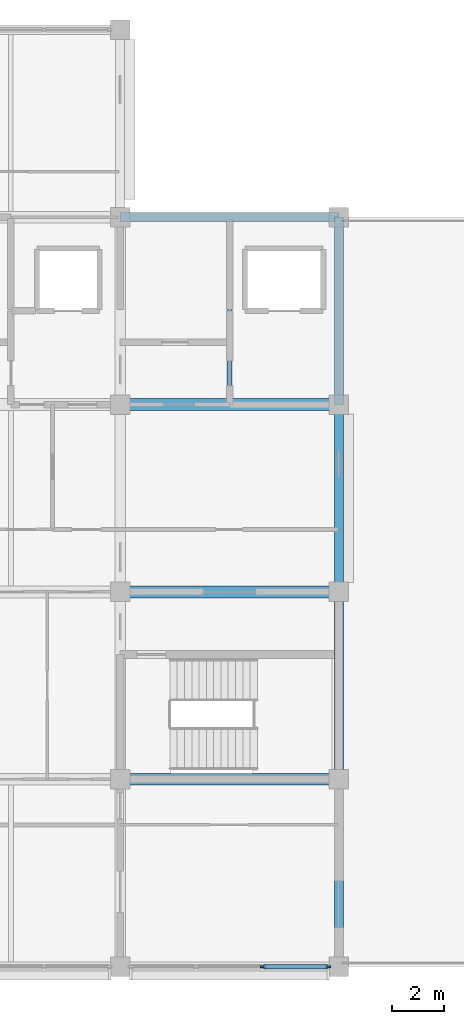
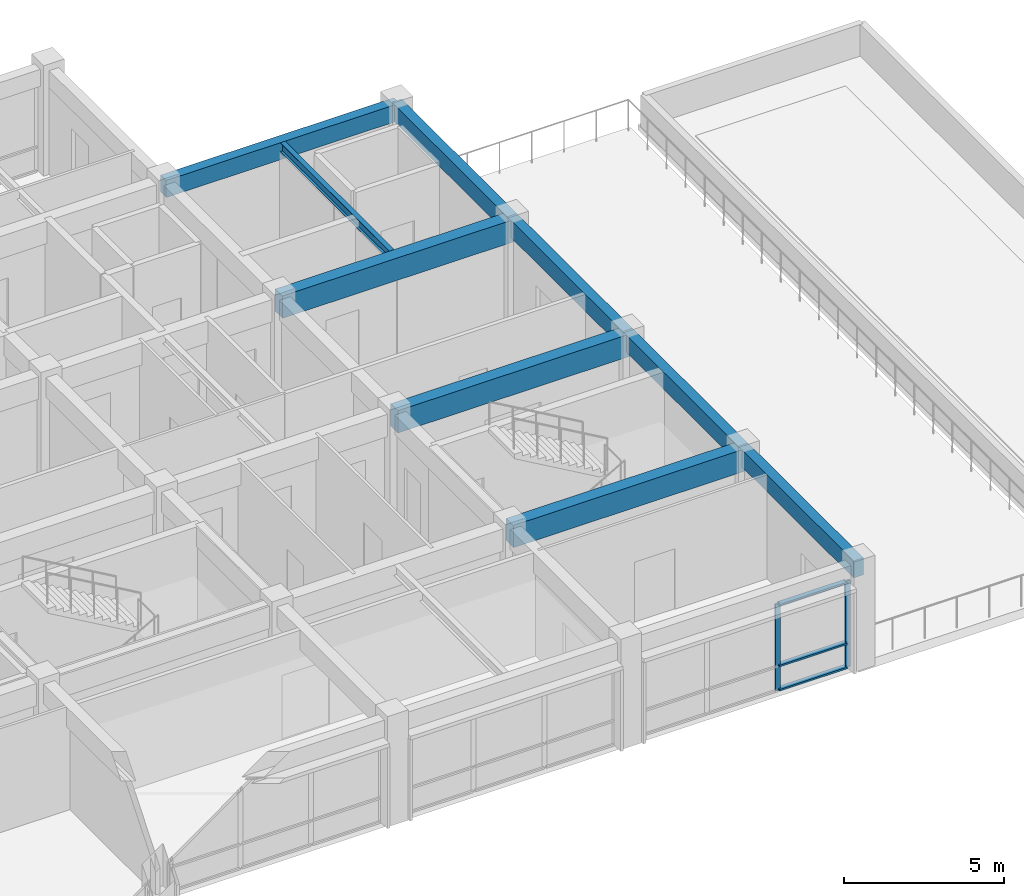
# One storey, part 8 of 27: 9 beams, 5 members, 1 element without a shape of its own.
"""IFC4 building model written with IfcOpenShell, lengths in metres."""

from ifc_helpers import new_model, si_unit, direction, frame, origin, origin_2d, place, context, subcontext, project, spatial, rectangle, i_section, extrude, material, layer, layer_set, material_profile, profile_set, type_object, element, aggregate, save


model = new_model("IFC4")

# Units and contexts
model_context = context("Model", 3, precision=1e-05, world=origin(), true_north=direction((0.0, 1.0)))
body_context = subcontext(model_context, "Body", "Model", "MODEL_VIEW")
ifc_project = project(units=[si_unit("LENGTHUNIT", "METRE"), si_unit("AREAUNIT", "SQUARE_METRE"), si_unit("VOLUMEUNIT", "CUBIC_METRE"), si_unit("PLANEANGLEUNIT", "RADIAN"), si_unit("MASSUNIT", "GRAM", prefix="KILO")], contexts=[model_context])

# Site, building, storey
site_placement = place(None, origin())
site = spatial("IfcSite", under=ifc_project, at=site_placement, CompositionType="ELEMENT")
building_placement = place(site_placement, origin())
building = spatial("IfcBuilding", under=site, at=building_placement, Name="Chengyuan Square Courthouse", CompositionType="ELEMENT")
storey_placement = place(building_placement, frame((0.0, 0.0, 35.10009765625)))
storey = spatial("IfcBuildingStorey", under=building, at=storey_placement, Name="L08", CompositionType="ELEMENT", Elevation=35.10009765625)

# Beams
ifc_material_1 = material(Name="Concrete C40", Category="concrete")
ifc_material_profile_1 = material_profile(ifc_material_1, rectangle(XDim=0.449951171875, YDim=0.85009765625, at=origin_2d()), Name="RC-BM-450x850")
ifc_profile_set_1 = profile_set([ifc_material_profile_1], Name="Concrete C40")
beam_type_1 = type_object("IfcBeamType", Name="BM-01", PredefinedType="USERDEFINED", material=ifc_profile_set_1)
for number, where, z_axis, x_axis, name in (
    (1, (117.60009765625, 86.39990234375, 3.52490234375), (1.0, 0.0, 0.0), (0.0, 1.0, 0.0), "Girder BM-L08-3787"),
    (2, (117.60009765625, 93.60009765625, 3.52490234375), (1.0, 0.0, 0.0), (0.0, 1.0, 0.0), "Girder BM-L08-3797"),
    (3, (117.60009765625, 100.800048828125, 3.52490234375), (1.0, 0.0, 0.0), (0.0, 1.0, 0.0), "Girder BM-L08-3807"),
):
    element("IfcBeam", number, at=place(storey_placement, frame(where, z_axis=z_axis, x_axis=x_axis)), inside=storey, type_object=beam_type_1, Name=name, ObjectType="GIRDER", PredefinedType="USERDEFINED", context=body_context, shape_type="SweptSolid", body=[
        extrude(rectangle(XDim=0.449951171875, YDim=0.85009765625, at=origin_2d()), origin(), (0.0, 0.0, 1.0), 8.39990234375),
    ])
ifc_material_profile_2 = material_profile(ifc_material_1, rectangle(XDim=0.35009765625, YDim=0.64990234375, at=origin_2d()), Name="RC-BM-350x650")
ifc_profile_set_2 = profile_set([ifc_material_profile_2], Name="Concrete C40")
beam_type_2 = type_object("IfcBeamType", Name="BM-03", PredefinedType="SPANDREL", material=ifc_profile_set_2)
beam_1_placement = place(storey_placement, frame((117.60009765625, 108.0, 3.625), z_axis=(1.0, 0.0, 0.0), x_axis=(0.0, 1.0, 0.0)))
element("IfcBeam", 4, at=beam_1_placement, inside=storey, type_object=beam_type_2, Name="Girder BM-L08-3817", PredefinedType="SPANDREL", context=body_context, shape_type="SweptSolid", body=[
    extrude(rectangle(XDim=0.35009765625, YDim=0.64990234375, at=origin_2d()), origin(), (0.0, 0.0, 1.0), 8.39990234375),
])
beam_2_placement = place(storey_placement, frame((126.0, 79.199951171875, 3.625), z_axis=(0.0, 1.0, 0.0), x_axis=(-1.0, 0.0, 0.0)))
element("IfcBeam", 5, at=beam_2_placement, inside=storey, type_object=beam_type_2, Name="Girder BM-L08-3875", PredefinedType="SPANDREL", context=body_context, shape_type="SweptSolid", body=[
    extrude(rectangle(XDim=0.35009765625, YDim=0.64990234375, at=origin_2d()), origin(), (0.0, 0.0, 1.0), 7.199951171875),
])
beam_3_placement = place(storey_placement, frame((126.0, 86.39990234375, 3.625), z_axis=(0.0, 1.0, 0.0), x_axis=(-1.0, 0.0, 0.0)))
element("IfcBeam", 6, at=beam_3_placement, inside=storey, type_object=beam_type_2, Name="Girder BM-L08-3876", PredefinedType="SPANDREL", context=body_context, shape_type="SweptSolid", body=[
    extrude(rectangle(XDim=0.35009765625, YDim=0.64990234375, at=origin_2d()), origin(), (0.0, 0.0, 1.0), 7.2001953125),
])
for number, where, z_axis, x_axis, name in (
    (7, (126.0, 93.60009765625, 3.625), (0.0, 1.0, 0.0), (-1.0, 0.0, 0.0), "Girder BM-L08-3877"),
    (8, (126.0, 100.800048828125, 3.625), (0.0, 1.0, 0.0), (-1.0, 0.0, 0.0), "Girder BM-L08-3878"),
):
    element("IfcBeam", number, at=place(storey_placement, frame(where, z_axis=z_axis, x_axis=x_axis)), inside=storey, type_object=beam_type_2, Name=name, PredefinedType="SPANDREL", context=body_context, shape_type="SweptSolid", body=[
        extrude(rectangle(XDim=0.35009765625, YDim=0.64990234375, at=origin_2d()), origin(), (0.0, 0.0, 1.0), 7.199951171875),
    ])
ifc_material_2 = material(Name="Steel Q355B", Category="steel")
ifc_material_profile_3 = material_profile(ifc_material_2, i_section(OverallWidth=0.175048828125, OverallDepth=0.35009765625, WebThickness=0.007080078125, FlangeThickness=0.010986328125, at=origin_2d()), Name="HN 350x175x7x11")
ifc_profile_set_3 = profile_set([ifc_material_profile_3], Name="Steel Q355B")
beam_type_3 = type_object("IfcBeamType", Name="BM-08", PredefinedType="BEAM", material=ifc_profile_set_3)
beam_4_placement = place(storey_placement, frame((121.800048828125, 101.02490234375, 3.77490234375), z_axis=(0.0, 1.0, 0.0), x_axis=(-1.0, 0.0, 0.0)))
element("IfcBeam", 9, at=beam_4_placement, inside=storey, type_object=beam_type_3, Name="Secondary Floor Beam SBM-L08-3896", PredefinedType="BEAM", context=body_context, shape_type="SweptSolid", body=[
    extrude(i_section(OverallWidth=0.175048828125, OverallDepth=0.35009765625, WebThickness=0.007080078125, FlangeThickness=0.010986328125, at=origin_2d()), origin(), (0.0, 0.0, 1.0), 6.800048828125),
])

# Curtain wall, members
ifc_material_3 = material(Name="Unitised Aluminium and Triple Low-E Glass", Category="aluminium")
ifc_layer = layer(ifc_material_3, 0.179931640625)
ifc_layer_set = layer_set([ifc_layer], Name="Unitised Aluminium and Triple Low-E Glass")
curtain_wall_type = type_object("IfcCurtainWallType", Name="CW-22", PredefinedType="USERDEFINED", material=ifc_layer_set)
curtain_wall_placement = place(storey_placement, origin())
curtain_wall = element("IfcCurtainWall", 10, at=curtain_wall_placement, inside=storey, type_object=curtain_wall_type, Name="Unitised Curtain Wall CW-L08-233", ObjectType="UNITISED CURTAIN WALL", PredefinedType="USERDEFINED")
ifc_material_4 = material(Name="Aluminium 6063-T6 Frame", Category="aluminium")
ifc_material_profile_4 = material_profile(ifc_material_4, rectangle(XDim=0.06494140625, YDim=0.179931640625, at=origin_2d()), Name="CW-MUL-65x180")
ifc_profile_set_4 = profile_set([ifc_material_profile_4], Name="Aluminium 6063-T6 Frame")
member_type_1 = type_object("IfcMemberType", Name="CWM-02", PredefinedType="MULLION", material=ifc_profile_set_4)
member_1_placement = place(storey_placement, frame((123.074951171875, 79.199951171875, 0.0), z_axis=(0.0, 0.0, 1.0), x_axis=(0.0, 1.0, 0.0)))
member_1 = element("IfcMember", 11, at=member_1_placement, type_object=member_type_1, Name="CW-22 mullion 3", PredefinedType="MULLION", context=body_context, shape_type="SweptSolid", body=[
    extrude(rectangle(XDim=0.06494140625, YDim=0.179931640625, at=origin_2d()), origin(), (0.0, 0.0, 1.0), 3.2998046875),
])
member_2_placement = place(storey_placement, frame((125.592529296875, 79.199951171875, 0.0), z_axis=(0.0, 0.0, 1.0), x_axis=(0.0, 1.0, 0.0)))
member_2 = element("IfcMember", 12, at=member_2_placement, type_object=member_type_1, Name="CW-22 mullion 4", PredefinedType="MULLION", context=body_context, shape_type="SweptSolid", body=[
    extrude(rectangle(XDim=0.06494140625, YDim=0.179931640625, at=origin_2d()), origin(), (0.0, 0.0, 1.0), 3.2998046875),
])
ifc_material_profile_5 = material_profile(ifc_material_4, rectangle(XDim=0.179931640625, YDim=0.06494140625, at=origin_2d()), Name="CW-TRN-65x140")
ifc_profile_set_5 = profile_set([ifc_material_profile_5], Name="Aluminium 6063-T6 Frame")
member_type_2 = type_object("IfcMemberType", Name="CWT-02", PredefinedType="USERDEFINED", material=ifc_profile_set_5)
member_3_placement = place(storey_placement, frame((123.107421875, 79.199951171875, 0.032470703125), z_axis=(1.0, 0.0, 0.0), x_axis=(0.0, 1.0, 0.0)))
member_3 = element("IfcMember", 13, at=member_3_placement, type_object=member_type_2, Name="CW-22 transom 3.1", ObjectType="TRANSOM", PredefinedType="USERDEFINED", context=body_context, shape_type="SweptSolid", body=[
    extrude(rectangle(XDim=0.179931640625, YDim=0.06494140625, at=origin_2d()), origin(), (0.0, 0.0, 1.0), 2.45263671875),
])
member_4_placement = place(storey_placement, frame((123.107421875, 79.199951171875, 0.949951171875), z_axis=(1.0, 0.0, 0.0), x_axis=(0.0, 1.0, 0.0)))
member_4 = element("IfcMember", 14, at=member_4_placement, type_object=member_type_2, Name="CW-22 transom 3.2", ObjectType="TRANSOM", PredefinedType="USERDEFINED", context=body_context, shape_type="SweptSolid", body=[
    extrude(rectangle(XDim=0.179931640625, YDim=0.06494140625, at=origin_2d()), origin(), (0.0, 0.0, 1.0), 2.45263671875),
])
member_5_placement = place(storey_placement, frame((123.107421875, 79.199951171875, 3.267333984375), z_axis=(1.0, 0.0, 0.0), x_axis=(0.0, 1.0, 0.0)))
member_5 = element("IfcMember", 15, at=member_5_placement, type_object=member_type_2, Name="CW-22 transom 3.3", ObjectType="TRANSOM", PredefinedType="USERDEFINED", context=body_context, shape_type="SweptSolid", body=[
    extrude(rectangle(XDim=0.179931640625, YDim=0.06494140625, at=origin_2d()), origin(), (0.0, 0.0, 1.0), 2.45263671875),
])
aggregate(curtain_wall, [member_1, member_2, member_3, member_4, member_5])

save(model, "model.ifc")
